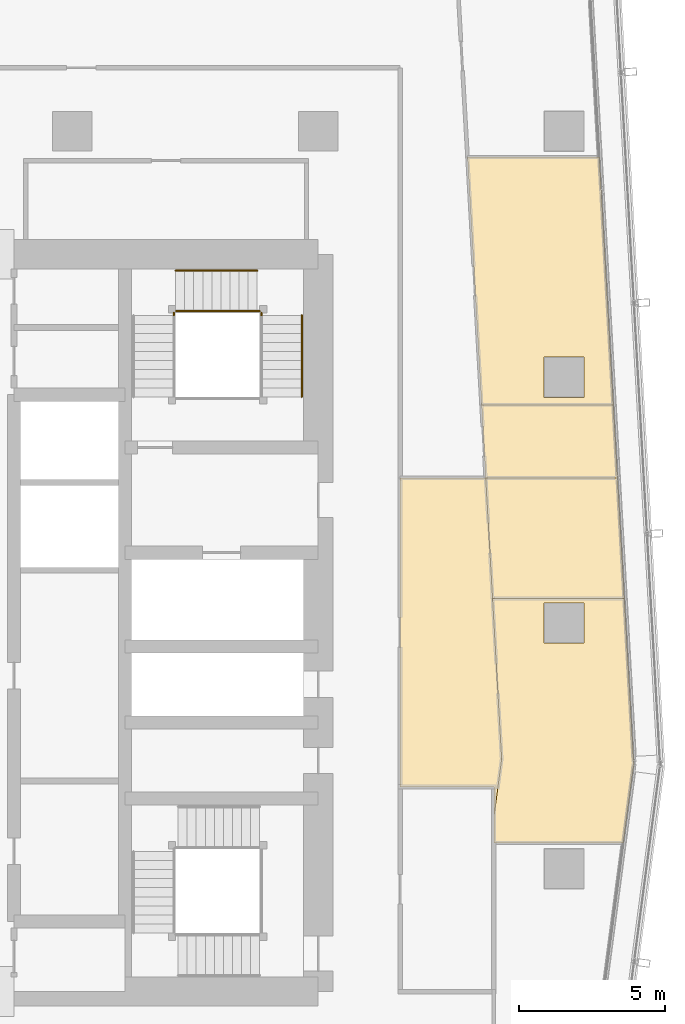
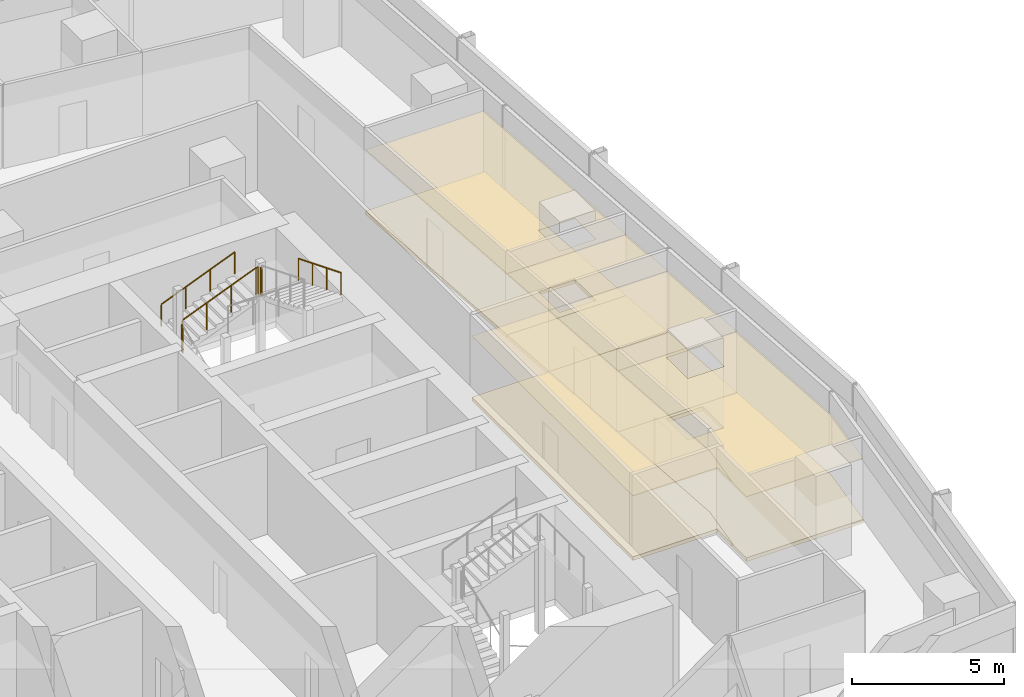
# One storey, part 38 of 39: 10 coverings, 6 railings.
"""IFC4 building model written with IfcOpenShell, lengths in metres."""

from ifc_helpers import new_model, si_unit, direction, frame, origin, origin_2d, place, context, subcontext, project, spatial, polyline, circle, outline, extrude, material, layer, layer_set, type_object, element, save


model = new_model("IFC4")

# Units and contexts
model_context = context("Model", 3, precision=1e-05, world=origin(), true_north=direction((0.0, 1.0)))
body_context = subcontext(model_context, "Body", "Model", "MODEL_VIEW")
ifc_project = project(units=[si_unit("LENGTHUNIT", "METRE"), si_unit("AREAUNIT", "SQUARE_METRE"), si_unit("VOLUMEUNIT", "CUBIC_METRE"), si_unit("PLANEANGLEUNIT", "RADIAN"), si_unit("MASSUNIT", "GRAM", prefix="KILO")], contexts=[model_context])

# Site, building, storey
site_placement = place(None, origin())
site = spatial("IfcSite", under=ifc_project, at=site_placement, CompositionType="ELEMENT")
building_placement = place(site_placement, origin())
building = spatial("IfcBuilding", under=site, at=building_placement, Name="Rekha Terrace Tower", CompositionType="ELEMENT")
storey_placement = place(building_placement, frame((0.0, 0.0, 187.699951171875)))
storey = spatial("IfcBuildingStorey", under=building, at=storey_placement, Name="L47", CompositionType="ELEMENT", Elevation=187.699951171875)

# Coverings
ifc_material_1 = material(Name="Mineral fibre tile in exposed grid", Category="finish")
ifc_layer_1 = layer(ifc_material_1, 0.02001953125)
ifc_layer_set_1 = layer_set([ifc_layer_1], Name="Mineral fibre tile in exposed grid")
covering_type_1 = type_object("IfcCoveringType", Name="CL1 600x1200 office grid ceiling", PredefinedType="CEILING", material=ifc_layer_set_1)
covering_1_placement = place(storey_placement, frame((0.0, 0.0, 2.580078125)))
element("IfcCovering", 1, at=covering_1_placement, inside=storey, type_object=covering_type_1, Name="Ceiling L47-05", PredefinedType="CEILING", context=body_context, shape_type="SweptSolid", body=[
    extrude(outline(polyline([(60.864990234375, 34.43310546875), (56.35791015625, 34.43310546875), (56.6689453125, 28.948974609375), (56.39990234375, 26.91796875), (56.39990234375, 26.083984375), (60.8291015625, 26.083984375), (61.18603515625, 28.780029296875), (60.864990234375, 34.43310546875)]), holes=[polyline([(59.489990234375, 34.2900390625), (59.489990234375, 32.909912109375), (58.110107421875, 32.909912109375), (58.110107421875, 34.2900390625), (59.489990234375, 34.2900390625)])]), origin(), (0.0, 0.0, 1.0), 0.02001953125),
])
covering_2_placement = place(storey_placement, frame((0.0, 0.0, 2.580078125)))
element("IfcCovering", 2, at=covering_2_placement, inside=storey, type_object=covering_type_1, Name="Ceiling L47-06", PredefinedType="CEILING", context=body_context, shape_type="SweptSolid", body=[
    extrude(outline(polyline([(56.35791015625, 34.43408203125), (60.864990234375, 34.43408203125), (60.631103515625, 38.554931640625), (56.1240234375, 38.554931640625), (56.35791015625, 34.43408203125)])), origin(), (0.0, 0.0, 1.0), 0.02001953125),
])
covering_3_placement = place(storey_placement, frame((0.0, 0.0, 2.580078125)))
element("IfcCovering", 3, at=covering_3_placement, inside=storey, type_object=covering_type_1, Name="Ceiling L47-O1", PredefinedType="CEILING", context=body_context, shape_type="SweptSolid", body=[
    extrude(outline(polyline([(56.6689453125, 28.948974609375), (56.35791015625, 34.43310546875), (56.1240234375, 38.554931640625), (53.199951171875, 38.554931640625), (53.199951171875, 28.0), (56.39990234375, 28.0), (56.39990234375, 27.071044921875), (56.419921875, 27.070068359375), (56.6689453125, 28.948974609375)])), origin(), (0.0, 0.0, 1.0), 0.02001953125),
])
covering_4_placement = place(storey_placement, frame((0.0, 0.0, 2.580078125)))
element("IfcCovering", 4, at=covering_4_placement, inside=storey, type_object=covering_type_1, Name="Ceiling L47-10", PredefinedType="CEILING", context=body_context, shape_type="SweptSolid", body=[
    extrude(outline(polyline([(60.489013671875, 41.053955078125), (55.98193359375, 41.053955078125), (56.1240234375, 38.555908203125), (60.631103515625, 38.555908203125), (60.489013671875, 41.053955078125)])), origin(), (0.0, 0.0, 1.0), 0.02001953125),
])
covering_5_placement = place(storey_placement, frame((0.0, 0.0, 2.580078125)))
element("IfcCovering", 5, at=covering_5_placement, inside=storey, type_object=covering_type_1, Name="Ceiling L47-11", PredefinedType="CEILING", context=body_context, shape_type="SweptSolid", body=[
    extrude(outline(polyline([(60.009033203125, 49.52001953125), (55.501953125, 49.52001953125), (55.98193359375, 41.054931640625), (60.489013671875, 41.054931640625), (60.009033203125, 49.52001953125)]), holes=[polyline([(59.489990234375, 41.31005859375), (58.110107421875, 41.31005859375), (58.110107421875, 42.68994140625), (59.489990234375, 42.68994140625), (59.489990234375, 41.31005859375)])]), origin(), (0.0, 0.0, 1.0), 0.02001953125),
])

# Railings
ifc_material_2 = material(Name="Stainless steel balustrade", Category="steel")
railing_type_1 = type_object("IfcRailingType", Name="GR1 1100 stair guard", PredefinedType="GUARDRAIL", material=ifc_material_2)
railing_1_placement = place(storey_placement, frame((45.52490234375, 44.260009765625, 1.375)))
element("IfcRailing", 6, at=railing_1_placement, inside=storey, type_object=railing_type_1, Name="Guard ST2 L47 flight 2", PredefinedType="GUARDRAIL", context=body_context, shape_type="SweptSolid", body=[
    extrude(circle(Radius=0.02392578125, at=origin_2d()), frame((0.0, 0.0, 1.076171875), z_axis=(0.927443287984, 0.0, 0.373963831907), x_axis=(0.0, 1.0, 0.0)), (0.0, 0.0, 1.0), 3.00830078125),
    extrude(circle(Radius=0.02099609375, at=origin_2d()), origin(), (0.0, 0.0, 1.0), 1.052001953125),
    extrude(circle(Radius=0.02099609375, at=origin_2d()), frame((0.929931640625, 0.0, 0.375)), (0.0, 0.0, 1.0), 1.052001953125),
    extrude(circle(Radius=0.02099609375, at=origin_2d()), frame((1.860107421875, 0.0, 0.75)), (0.0, 0.0, 1.0), 1.052001953125),
    extrude(circle(Radius=0.02099609375, at=origin_2d()), frame((2.7900390625, 0.0, 1.125)), (0.0, 0.0, 1.0), 1.052001953125),
])
railing_2_placement = place(storey_placement, frame((45.465087890625, 44.114990234375, 1.25)))
element("IfcRailing", 7, at=railing_2_placement, inside=storey, type_object=railing_type_1, Name="Guard ST2 L47 landing 1", PredefinedType="GUARDRAIL", context=body_context, shape_type="SweptSolid", body=[
    extrude(circle(Radius=0.02392578125, at=origin_2d()), frame((0.0, 0.0, 1.076171875), z_axis=(0.0, 1.0, 0.0), x_axis=(-1.0, 0.0, 0.0)), (0.0, 0.0, 1.0), 0.0849609375),
    extrude(circle(Radius=0.02099609375, at=origin_2d()), origin(), (0.0, 0.0, 1.0), 1.052001953125),
    extrude(circle(Radius=0.02099609375, at=origin_2d()), frame((0.0, 0.0849609375, 0.0)), (0.0, 0.0, 1.0), 1.052001953125),
])
railing_3_placement = place(storey_placement, frame((48.31494140625, 44.260009765625, 2.5)))
element("IfcRailing", 8, at=railing_3_placement, inside=storey, type_object=railing_type_1, Name="Guard ST2 L47 landing 2", PredefinedType="GUARDRAIL", context=body_context, shape_type="SweptSolid", body=[
    extrude(circle(Radius=0.02392578125, at=origin_2d()), frame((0.0, 0.0, 1.076171875), z_axis=(1.0, 0.0, 0.0), x_axis=(0.0, 1.0, 0.0)), (0.0, 0.0, 1.0), 0.0849609375),
    extrude(circle(Radius=0.02099609375, at=origin_2d()), origin(), (0.0, 0.0, 1.0), 1.052001953125),
    extrude(circle(Radius=0.02099609375, at=origin_2d()), frame((0.0849609375, 0.0, 0.0)), (0.0, 0.0, 1.0), 1.052001953125),
])
railing_4_placement = place(storey_placement, frame((48.4599609375, 44.114990234375, 2.5)))
element("IfcRailing", 9, at=railing_4_placement, inside=storey, type_object=railing_type_1, Name="Guard ST2 L47 landing 3", PredefinedType="GUARDRAIL", context=body_context, shape_type="SweptSolid", body=[
    extrude(circle(Radius=0.02392578125, at=origin_2d()), frame((0.0, 0.0, 1.076171875), z_axis=(0.0, 1.0, 0.0), x_axis=(-1.0, 0.0, 0.0)), (0.0, 0.0, 1.0), 0.0849609375),
    extrude(circle(Radius=0.02099609375, at=origin_2d()), origin(), (0.0, 0.0, 1.0), 1.052001953125),
    extrude(circle(Radius=0.02099609375, at=origin_2d()), frame((0.0, 0.0849609375, 0.0)), (0.0, 0.0, 1.0), 1.052001953125),
])
ifc_material_3 = material(Name="Stainless steel tube", Category="steel")
railing_type_2 = type_object("IfcRailingType", Name="HR1 900 stair handrail", PredefinedType="HANDRAIL", material=ifc_material_3)
railing_5_placement = place(storey_placement, frame((45.52490234375, 45.639892578125, 1.375)))
element("IfcRailing", 10, at=railing_5_placement, inside=storey, type_object=railing_type_2, Name="Handrail ST2 L47 flight 2", PredefinedType="HANDRAIL", context=body_context, shape_type="SweptSolid", body=[
    extrude(circle(Radius=0.02392578125, at=origin_2d()), frame((0.0, 0.0, 0.8759765625), z_axis=(0.927443287984, 0.0, 0.373963831907), x_axis=(0.0, 1.0, 0.0)), (0.0, 0.0, 1.0), 3.00830078125),
    extrude(circle(Radius=0.02099609375, at=origin_2d()), origin(), (0.0, 0.0, 1.0), 0.851806640625),
    extrude(circle(Radius=0.02099609375, at=origin_2d()), frame((0.929931640625, 0.0, 0.375)), (0.0, 0.0, 1.0), 0.851806640625),
    extrude(circle(Radius=0.02099609375, at=origin_2d()), frame((1.860107421875, 0.0, 0.75)), (0.0, 0.0, 1.0), 0.851806640625),
    extrude(circle(Radius=0.02099609375, at=origin_2d()), frame((2.7900390625, 0.0, 1.125)), (0.0, 0.0, 1.0), 0.851806640625),
])
railing_6_placement = place(storey_placement, frame((49.840087890625, 44.114990234375, 2.625)))
element("IfcRailing", 11, at=railing_6_placement, inside=storey, type_object=railing_type_2, Name="Handrail ST2 L47 flight 3", PredefinedType="HANDRAIL", context=body_context, shape_type="SweptSolid", body=[
    extrude(circle(Radius=0.02392578125, at=origin_2d()), frame((0.0, 0.0, 0.8759765625), z_axis=(0.0, -0.927443287984, 0.373963831907), x_axis=(1.0, 0.0, 0.0)), (0.0, 0.0, 1.0), 3.00830078125),
    extrude(circle(Radius=0.02099609375, at=origin_2d()), origin(), (0.0, 0.0, 1.0), 0.851806640625),
    extrude(circle(Radius=0.02099609375, at=origin_2d()), frame((0.0, -0.929931640625, 0.375)), (0.0, 0.0, 1.0), 0.851806640625),
    extrude(circle(Radius=0.02099609375, at=origin_2d()), frame((0.0, -1.860107421875, 0.75)), (0.0, 0.0, 1.0), 0.851806640625),
    extrude(circle(Radius=0.02099609375, at=origin_2d()), frame((0.0, -2.7900390625, 1.125)), (0.0, 0.0, 1.0), 0.851806640625),
])

# Coverings
ifc_material_4 = material(Name="Calcium sulphate panels on steel pedestals", Category="steel")
ifc_layer_2 = layer(ifc_material_4, 0.14990234375)
ifc_layer_set_2 = layer_set([ifc_layer_2], Name="Calcium sulphate panels on steel pedestals")
covering_type_2 = type_object("IfcCoveringType", Name="RF1 150 raised access floor", PredefinedType="FLOORING", material=ifc_layer_set_2)
covering_6_placement = place(storey_placement, origin())
element("IfcCovering", 12, at=covering_6_placement, inside=storey, type_object=covering_type_2, Name="Raised floor L47-05", PredefinedType="FLOORING", context=body_context, shape_type="SweptSolid", body=[
    extrude(outline(polyline([(60.864990234375, 34.43310546875), (56.35791015625, 34.43310546875), (56.6689453125, 28.948974609375), (56.39990234375, 26.91796875), (56.39990234375, 26.083984375), (60.8291015625, 26.083984375), (61.18603515625, 28.780029296875), (60.864990234375, 34.43310546875)]), holes=[polyline([(59.489990234375, 34.2900390625), (59.489990234375, 32.909912109375), (58.110107421875, 32.909912109375), (58.110107421875, 34.2900390625), (59.489990234375, 34.2900390625)])]), origin(), (0.0, 0.0, 1.0), 0.150146484375),
])
covering_7_placement = place(storey_placement, origin())
element("IfcCovering", 13, at=covering_7_placement, inside=storey, type_object=covering_type_2, Name="Raised floor L47-06", PredefinedType="FLOORING", context=body_context, shape_type="SweptSolid", body=[
    extrude(outline(polyline([(56.35791015625, 34.43408203125), (60.864990234375, 34.43408203125), (60.631103515625, 38.554931640625), (56.1240234375, 38.554931640625), (56.35791015625, 34.43408203125)])), origin(), (0.0, 0.0, 1.0), 0.150146484375),
])
covering_8_placement = place(storey_placement, origin())
element("IfcCovering", 14, at=covering_8_placement, inside=storey, type_object=covering_type_2, Name="Raised floor L47-O1", PredefinedType="FLOORING", context=body_context, shape_type="SweptSolid", body=[
    extrude(outline(polyline([(56.6689453125, 28.948974609375), (56.35791015625, 34.43310546875), (56.1240234375, 38.554931640625), (53.199951171875, 38.554931640625), (53.199951171875, 28.0), (56.39990234375, 28.0), (56.39990234375, 27.071044921875), (56.419921875, 27.070068359375), (56.6689453125, 28.948974609375)])), origin(), (0.0, 0.0, 1.0), 0.150146484375),
])
covering_9_placement = place(storey_placement, origin())
element("IfcCovering", 15, at=covering_9_placement, inside=storey, type_object=covering_type_2, Name="Raised floor L47-10", PredefinedType="FLOORING", context=body_context, shape_type="SweptSolid", body=[
    extrude(outline(polyline([(60.489013671875, 41.053955078125), (55.98193359375, 41.053955078125), (56.1240234375, 38.555908203125), (60.631103515625, 38.555908203125), (60.489013671875, 41.053955078125)])), origin(), (0.0, 0.0, 1.0), 0.150146484375),
])
covering_10_placement = place(storey_placement, origin())
element("IfcCovering", 16, at=covering_10_placement, inside=storey, type_object=covering_type_2, Name="Raised floor L47-11", PredefinedType="FLOORING", context=body_context, shape_type="SweptSolid", body=[
    extrude(outline(polyline([(60.009033203125, 49.52001953125), (55.501953125, 49.52001953125), (55.98193359375, 41.054931640625), (60.489013671875, 41.054931640625), (60.009033203125, 49.52001953125)]), holes=[polyline([(59.489990234375, 41.31005859375), (58.110107421875, 41.31005859375), (58.110107421875, 42.68994140625), (59.489990234375, 42.68994140625), (59.489990234375, 41.31005859375)])]), origin(), (0.0, 0.0, 1.0), 0.150146484375),
])

save(model, "model.ifc")
